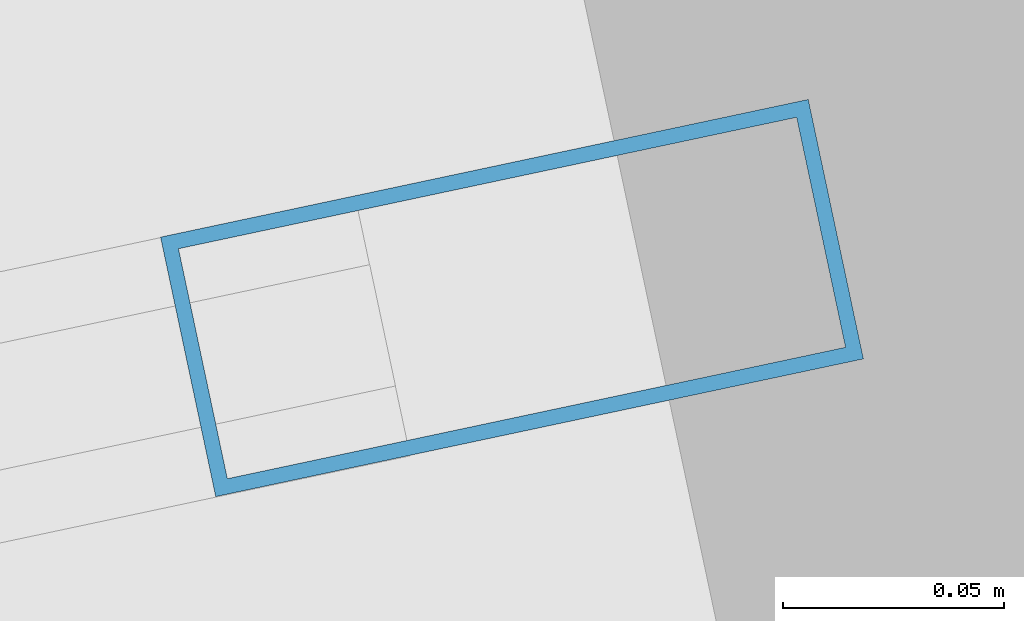
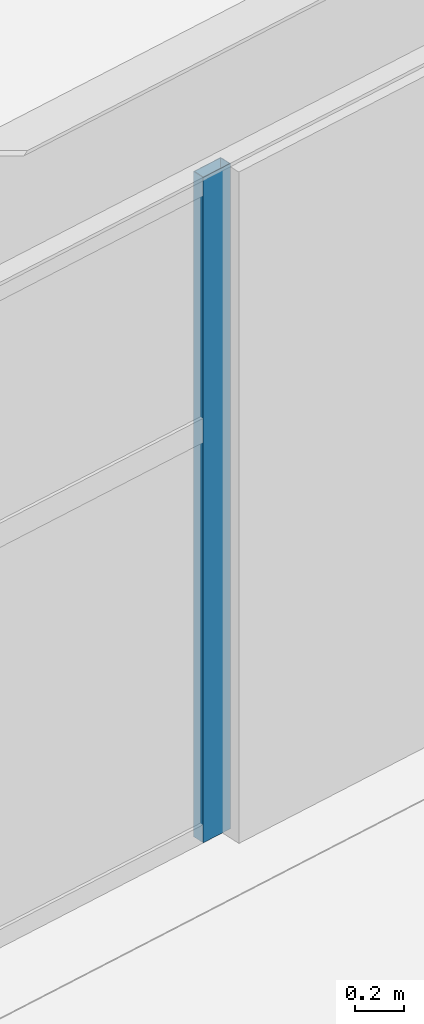
# One storey, part 6 of 16: 1 member, 1 element without a shape of its own.
"""IFC4 building model written with IfcOpenShell, lengths in metres."""

from ifc_helpers import new_model, si_unit, direction, frame, origin, origin_2d, place, context, subcontext, project, spatial, hollow_rectangle, extrude, material, layer, layer_set, material_profile, profile_set, type_object, element, aggregate, save


model = new_model("IFC4")

# Units and contexts
model_context = context("Model", 3, precision=1e-05, world=origin(), true_north=direction((0.0, 1.0)))
body_context = subcontext(model_context, "Body", "Model", "MODEL_VIEW")
ifc_project = project(units=[si_unit("LENGTHUNIT", "METRE"), si_unit("AREAUNIT", "SQUARE_METRE"), si_unit("VOLUMEUNIT", "CUBIC_METRE"), si_unit("PLANEANGLEUNIT", "RADIAN"), si_unit("MASSUNIT", "GRAM", prefix="KILO")], contexts=[model_context])

# Site, building, storey
site_placement = place(None, origin())
site = spatial("IfcSite", under=ifc_project, at=site_placement, CompositionType="ELEMENT")
building_placement = place(site_placement, origin())
building = spatial("IfcBuilding", under=site, at=building_placement, Name="Haevon Station Towers", CompositionType="ELEMENT")
storey_placement = place(building_placement, frame((0.0, 0.0, 235.199951171875)))
storey = spatial("IfcBuildingStorey", under=building, at=storey_placement, Name="L65", CompositionType="ELEMENT", Elevation=235.199951171875)

# Curtain wall, member
ifc_material_1 = material(Name="Anodised aluminium and Low-E double glazing", Category="aluminium")
ifc_layer = layer(ifc_material_1, 0.179931640625)
ifc_layer_set = layer_set([ifc_layer], Name="Anodised aluminium and Low-E double glazing")
curtain_wall_type = type_object("IfcCurtainWallType", Name="CW-SYS5", PredefinedType="NOTDEFINED", material=ifc_layer_set)
curtain_wall_placement = place(storey_placement, origin())
curtain_wall = element("IfcCurtainWall", 1, at=curtain_wall_placement, inside=storey, type_object=curtain_wall_type, Name="L65 Curtain Wall CW-T2-L65-HH", PredefinedType="NOTDEFINED")
ifc_material_2 = material(Name="Anodised aluminium 6063-T6", Category="aluminium")
ifc_material_profile = material_profile(ifc_material_2, hollow_rectangle(XDim=0.06005859375, YDim=0.14990234375, WallThickness=0.00341796875, at=origin_2d()), Name="CWM-150x60x3.5")
ifc_profile_set = profile_set([ifc_material_profile], Name="Anodised aluminium 6063-T6")
member_type = type_object("IfcMemberType", Name="CWM-150", PredefinedType="MULLION", material=ifc_profile_set)
member_placement = place(storey_placement, frame((108.015380859375, 39.411376953125, 0.0), z_axis=(0.0, 0.0, 1.0), x_axis=(0.207911679806, -0.978147603074, 0.0)))
member = element("IfcMember", 2, at=member_placement, type_object=member_type, Name="CW-SYS5 mullion 1", PredefinedType="MULLION", context=body_context, shape_type="SweptSolid", body=[
    extrude(hollow_rectangle(XDim=0.06005859375, YDim=0.14990234375, WallThickness=0.00341796875, at=origin_2d()), origin(), (0.0, 0.0, 1.0), 3.300048828125),
])
aggregate(curtain_wall, [member])

save(model, "model.ifc")
